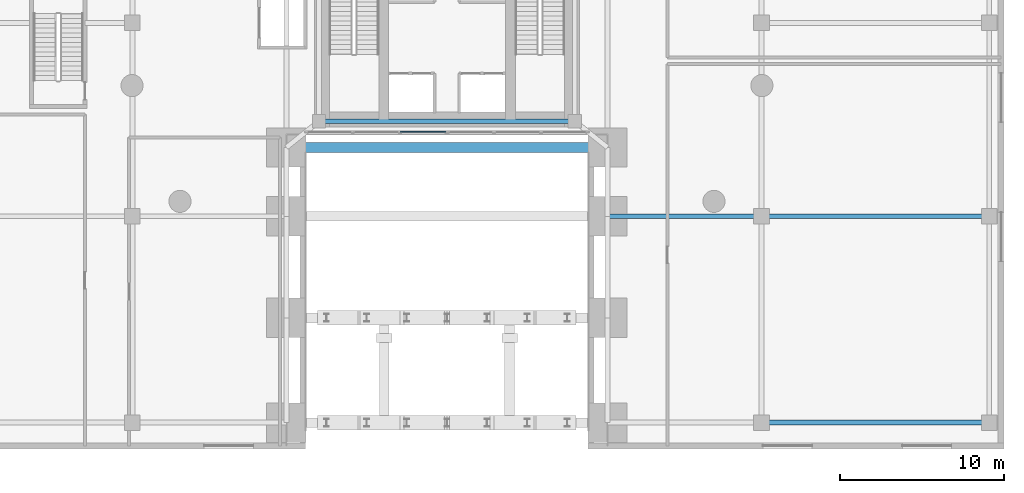
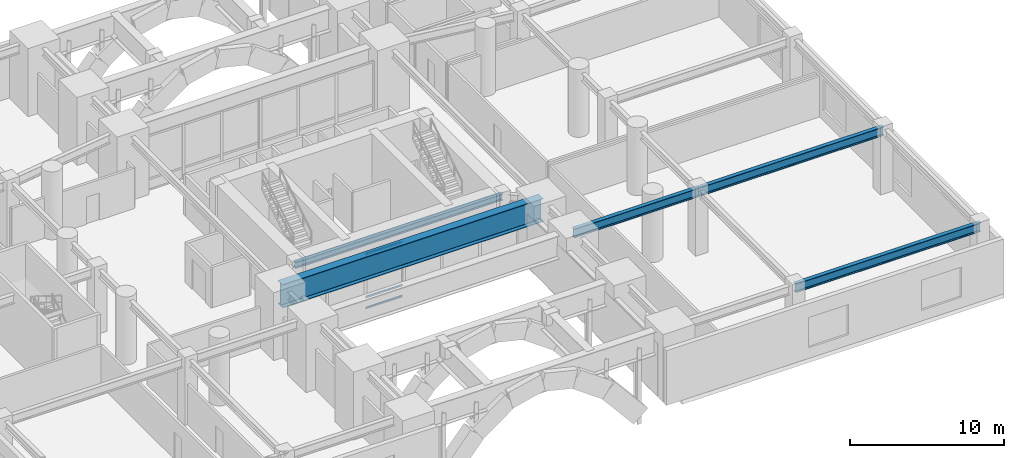
# One storey, part 5 of 18: 5 beams, 3 members, 1 element without a shape of its own.
"""IFC4 building model written with IfcOpenShell, lengths in metres."""

from ifc_helpers import new_model, si_unit, direction, frame, origin, origin_2d, place, context, subcontext, project, spatial, hollow_rectangle, i_section, extrude, material, layer, layer_set, material_profile, profile_set, type_object, element, aggregate, save


model = new_model("IFC4")

# Units and contexts
model_context = context("Model", 3, precision=1e-05, world=origin(), true_north=direction((0.0, 1.0)))
body_context = subcontext(model_context, "Body", "Model", "MODEL_VIEW")
ifc_project = project(units=[si_unit("LENGTHUNIT", "METRE"), si_unit("AREAUNIT", "SQUARE_METRE"), si_unit("VOLUMEUNIT", "CUBIC_METRE"), si_unit("PLANEANGLEUNIT", "RADIAN"), si_unit("MASSUNIT", "GRAM", prefix="KILO"), si_unit("THERMODYNAMICTEMPERATUREUNIT", "KELVIN"), si_unit("POWERUNIT", "WATT")], contexts=[model_context])

# Site, building, storey
site_placement = place(None, origin())
site = spatial("IfcSite", under=ifc_project, at=site_placement, CompositionType="ELEMENT")
building_placement = place(site_placement, origin())
building = spatial("IfcBuilding", under=site, at=building_placement, Name="Ocrelia Relay Tower", CompositionType="ELEMENT")
storey_placement = place(building_placement, frame((0.0, 0.0, 10.199951171875)))
storey = spatial("IfcBuildingStorey", under=building, at=storey_placement, Name="L02", CompositionType="ELEMENT", Elevation=10.199951171875)

# Beams
ifc_material_1 = material(Name="Steel S355", Category="steel")
ifc_material_profile_1 = material_profile(ifc_material_1, i_section(OverallWidth=0.300048828125, OverallDepth=0.5, WebThickness=0.014404296875, FlangeThickness=0.028076171875, FilletRadius=0.027099609375, at=origin_2d()), Name="HEB 500")
ifc_profile_set_1 = profile_set([ifc_material_profile_1], Name="Steel S355")
beam_type_1 = type_object("IfcBeamType", Name="BM-HEB500", PredefinedType="BEAM", material=ifc_profile_set_1)
beam_1_placement = place(storey_placement, frame((26.199951171875, 20.0, 4.830078125), z_axis=(1.0, 0.0, 0.0), x_axis=(0.0, 1.0, 0.0)))
element("IfcBeam", 1, at=beam_1_placement, inside=storey, type_object=beam_type_1, Name="L02 Core Pilaster Tie Beam S", PredefinedType="BEAM", context=body_context, shape_type="SweptSolid", body=[
    extrude(i_section(OverallWidth=0.300048828125, OverallDepth=0.5, WebThickness=0.014404296875, FlangeThickness=0.028076171875, FilletRadius=0.027099609375, at=origin_2d()), origin(), (0.0, 0.0, 1.0), 15.60009765625),
])
ifc_material_profile_2 = material_profile(ifc_material_1, i_section(OverallWidth=0.300048828125, OverallDepth=0.699951171875, WebThickness=0.01708984375, FlangeThickness=0.031982421875, FilletRadius=0.027099609375, at=origin_2d()), Name="HEB 700")
ifc_profile_set_2 = profile_set([ifc_material_profile_2], Name="Steel S355")
beam_type_2 = type_object("IfcBeamType", Name="BM-HEB700", PredefinedType="BEAM", material=ifc_profile_set_2)
beam_2_placement = place(storey_placement, frame((53.199951171875, 1.60009765625, 4.72998046875), z_axis=(1.0, 0.0, 0.0), x_axis=(0.0, 1.0, 0.0)))
element("IfcBeam", 2, at=beam_2_placement, inside=storey, type_object=beam_type_2, Name="L02 East Outer Podium Girder S", PredefinedType="BEAM", context=body_context, shape_type="SweptSolid", body=[
    extrude(i_section(OverallWidth=0.300048828125, OverallDepth=0.699951171875, WebThickness=0.01708984375, FlangeThickness=0.031982421875, FilletRadius=0.027099609375, at=origin_2d()), origin(), (0.0, 0.0, 1.0), 13.900146484375),
])
beam_3_placement = place(storey_placement, frame((43.800048828125, 14.199951171875, 4.72998046875), z_axis=(1.0, 0.0, 0.0), x_axis=(0.0, 1.0, 0.0)))
element("IfcBeam", 3, at=beam_3_placement, inside=storey, type_object=beam_type_2, Name="L02 East Inner Podium Girder M1", PredefinedType="BEAM", context=body_context, shape_type="SweptSolid", body=[
    extrude(i_section(OverallWidth=0.300048828125, OverallDepth=0.699951171875, WebThickness=0.01708984375, FlangeThickness=0.031982421875, FilletRadius=0.027099609375, at=origin_2d()), origin(), (0.0, 0.0, 1.0), 9.39990234375),
])
beam_4_placement = place(storey_placement, frame((53.199951171875, 14.199951171875, 4.72998046875), z_axis=(1.0, 0.0, 0.0), x_axis=(0.0, 1.0, 0.0)))
element("IfcBeam", 4, at=beam_4_placement, inside=storey, type_object=beam_type_2, Name="L02 East Outer Podium Girder M1", PredefinedType="BEAM", context=body_context, shape_type="SweptSolid", body=[
    extrude(i_section(OverallWidth=0.300048828125, OverallDepth=0.699951171875, WebThickness=0.01708984375, FlangeThickness=0.031982421875, FilletRadius=0.027099609375, at=origin_2d()), origin(), (0.0, 0.0, 1.0), 13.900146484375),
])
ifc_material_profile_3 = material_profile(ifc_material_1, i_section(OverallWidth=0.60009765625, OverallDepth=1.85009765625, WebThickness=0.028076171875, FlangeThickness=0.0400390625, FilletRadius=0.02001953125, at=origin_2d()), Name="WPG 1850x600")
ifc_profile_set_3 = profile_set([ifc_material_profile_3], Name="Steel S355")
beam_type_3 = type_object("IfcBeamType", Name="BM-WPG1650", PredefinedType="T_BEAM", material=ifc_profile_set_3)
beam_5_placement = place(storey_placement, frame((24.199951171875, 18.39990234375, 4.155029296875), z_axis=(1.0, 0.0, 0.0), x_axis=(0.0, 1.0, 0.0)))
element("IfcBeam", 5, at=beam_5_placement, inside=storey, type_object=beam_type_3, Name="L02 Portal Arch Span Transfer Girder G4", PredefinedType="T_BEAM", context=body_context, shape_type="SweptSolid", body=[
    extrude(i_section(OverallWidth=0.60009765625, OverallDepth=1.85009765625, WebThickness=0.028076171875, FlangeThickness=0.0400390625, FilletRadius=0.02001953125, at=origin_2d()), origin(), (0.0, 0.0, 1.0), 19.60009765625),
])

# Curtain wall, members
ifc_material_2 = material(Name="Aluminium and solar-control low-E glass", Category="aluminium")
ifc_layer = layer(ifc_material_2, 0.179931640625, Name="Aluminium and solar-control low-E glass")
ifc_layer_set = layer_set([ifc_layer], Name="Aluminium and solar-control low-E glass")
curtain_wall_type = type_object("IfcCurtainWallType", Name="CW-SYS-POD-ARCH", PredefinedType="NOTDEFINED", material=ifc_layer_set)
curtain_wall_placement = place(storey_placement, origin())
curtain_wall = element("IfcCurtainWall", 6, at=curtain_wall_placement, inside=storey, type_object=curtain_wall_type, Name="L02 South Portal Atrium Glazed Screen West", PredefinedType="NOTDEFINED")
ifc_material_3 = material(Name="Anodised bronze aluminium", Category="aluminium")
ifc_material_profile_4 = material_profile(ifc_material_3, hollow_rectangle(XDim=0.06494140625, YDim=0.139892578125, WallThickness=0.0048828125, at=origin_2d()), Name="CW-TRN-140x65")
ifc_profile_set_4 = profile_set([ifc_material_profile_4], Name="Anodised bronze aluminium")
member_type = type_object("IfcMemberType", Name="CW-SYS-POD-ARCH-TRN", PredefinedType="USERDEFINED", material=ifc_profile_set_4)
member_1_placement = place(storey_placement, frame((31.1640625, 19.35009765625, 0.032470703125), z_axis=(1.0, 0.0, 0.0), x_axis=(0.0, 1.0, 0.0)))
member_1 = element("IfcMember", 7, at=member_1_placement, type_object=member_type, Name="CW-PA transom 3.1", ObjectType="TRANSOM", PredefinedType="USERDEFINED", context=body_context, shape_type="SweptSolid", body=[
    extrude(hollow_rectangle(XDim=0.06494140625, YDim=0.139892578125, WallThickness=0.0048828125, at=origin_2d()), origin(), (0.0, 0.0, 1.0), 2.760986328125),
])
member_2_placement = place(storey_placement, frame((31.1640625, 19.35009765625, 0.900146484375), z_axis=(1.0, 0.0, 0.0), x_axis=(0.0, 1.0, 0.0)))
member_2 = element("IfcMember", 8, at=member_2_placement, type_object=member_type, Name="CW-PA transom 3.2", ObjectType="TRANSOM", PredefinedType="USERDEFINED", context=body_context, shape_type="SweptSolid", body=[
    extrude(hollow_rectangle(XDim=0.06494140625, YDim=0.139892578125, WallThickness=0.0048828125, at=origin_2d()), origin(), (0.0, 0.0, 1.0), 2.760986328125),
])
member_3_placement = place(storey_placement, frame((31.1640625, 19.35009765625, 4.32763671875), z_axis=(1.0, 0.0, 0.0), x_axis=(0.0, 1.0, 0.0)))
member_3 = element("IfcMember", 9, at=member_3_placement, type_object=member_type, Name="CW-PA transom 3.3", ObjectType="TRANSOM", PredefinedType="USERDEFINED", context=body_context, shape_type="SweptSolid", body=[
    extrude(hollow_rectangle(XDim=0.06494140625, YDim=0.139892578125, WallThickness=0.0048828125, at=origin_2d()), origin(), (0.0, 0.0, 1.0), 2.760986328125),
])
aggregate(curtain_wall, [member_1, member_2, member_3])

save(model, "model.ifc")
